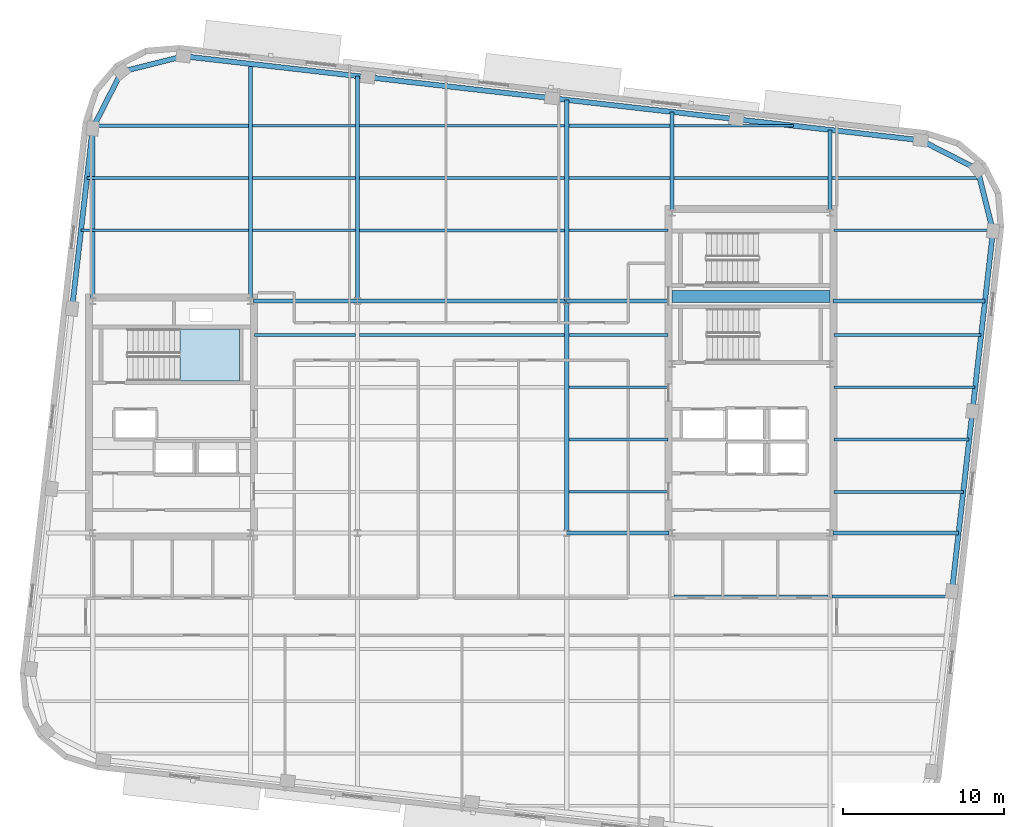
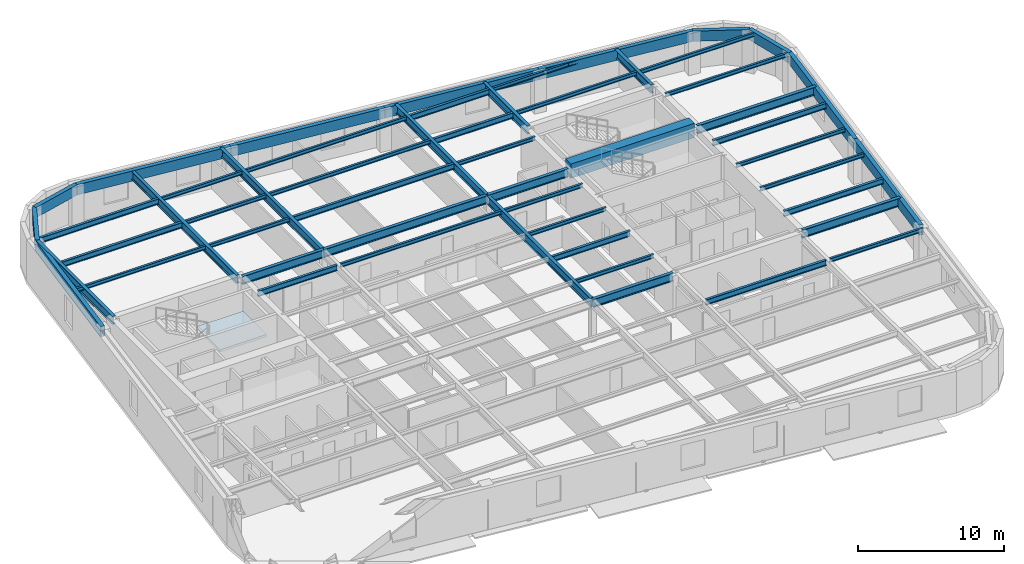
# One storey, part 4 of 13: 53 beams, 1 slab, 1 element without a shape of its own.
"""IFC4 building model written with IfcOpenShell, lengths in metres."""

import ifcopenshell
import ifcopenshell.guid

model = None  # the IFC model being written
_history = None  # IfcOwnerHistory: only IFC2X3 demands one
_inside = {}  # id of a spatial element -> (the spatial element, [elements in it])
_under = {}  # id of a project, library or spatial element -> (it, [spatial elements below it])
_declared = {}  # id of a project -> (the project, [libraries it declares])
_typed = {}  # id of a type object -> (the type object, [elements of that type])
_made_of = {}  # id of a material, layer set ... -> (it, [elements and type objects made of it])


def new_model(schema):
    """Start an empty IFC model of exactly this schema.

    Asked for "IFC4X3", IfcOpenShell would pick the latest addendum, in which some entities
    have other attributes; the version numbers below select the first issue.
    IFC2X3 requires an IfcOwnerHistory on every rooted entity: one is made here for all.
    """
    global model, _history
    if schema == "IFC4X3":
        model = ifcopenshell.file(schema_version=(4, 3, 0, 0))
    else:
        model = ifcopenshell.file(schema=schema)
    _inside.clear()
    _under.clear()
    _declared.clear()
    _typed.clear()
    _made_of.clear()
    _history = None
    if model.schema == "IFC2X3":
        org = make("IfcOrganization", Name="unknown")
        user = make(
            "IfcPersonAndOrganization",
            ThePerson=make("IfcPerson", FamilyName="unknown"),
            TheOrganization=org,
        )
        app = make(
            "IfcApplication",
            ApplicationDeveloper=org,
            Version="unknown",
            ApplicationFullName="unknown",
            ApplicationIdentifier="unknown",
        )
        _history = make(
            "IfcOwnerHistory",
            OwningUser=user,
            OwningApplication=app,
            ChangeAction="ADDED",
            CreationDate=0,
        )
    return model


def make(cls, **values):
    """One entity of the class cls with the attributes given. An attribute that is None is left unset."""
    return model.create_entity(
        cls, **{name: value for name, value in values.items() if value is not None}
    )


def rooted(cls, **values):
    """An entity with a GlobalId (a new one), such as an element, a storey or a relation."""
    return make(cls, GlobalId=ifcopenshell.guid.new(), OwnerHistory=_history, **values)


def si_unit(unit_type, name, prefix=None):
    """IfcSIUnit, for example si_unit("LENGTHUNIT", "METRE", prefix="MILLI")."""
    return make("IfcSIUnit", UnitType=unit_type, Prefix=prefix, Name=name)


def assignment(units):
    """IfcUnitAssignment: the units of a project."""
    return None if units is None else make("IfcUnitAssignment", Units=units)


def point(xyz):
    """IfcCartesianPoint."""
    return None if xyz is None else make("IfcCartesianPoint", Coordinates=xyz)


def direction(xyz):
    """IfcDirection."""
    return None if xyz is None else make("IfcDirection", DirectionRatios=xyz)


def frame(location, z_axis=None, x_axis=None):
    """IfcAxis2Placement3D, a coordinate frame: its origin and axes. An axis left out is left unset."""
    return make(
        "IfcAxis2Placement3D",
        Location=point(location),
        Axis=direction(z_axis),
        RefDirection=direction(x_axis),
    )


def frame_2d(location, x_axis=None):
    """IfcAxis2Placement2D, a coordinate frame in the plane: its origin and x axis."""
    return make(
        "IfcAxis2Placement2D", Location=point(location), RefDirection=direction(x_axis)
    )


def origin():
    """The frame at (0, 0, 0) with its axes left unset."""
    return frame((0.0, 0.0, 0.0))


def origin_2d():
    """The frame at (0, 0) in the plane with its x axis left unset."""
    return frame_2d((0.0, 0.0))


def place(relative_to, where):
    """IfcLocalPlacement: puts the frame where relative to a parent placement (None: the world)."""
    return make(
        "IfcLocalPlacement", PlacementRelTo=relative_to, RelativePlacement=where
    )


def context(
    kind, dimensions, precision=None, world=None, true_north=None, identifier=None
):
    """IfcGeometricRepresentationContext, for example the 3D "Model" context."""
    return make(
        "IfcGeometricRepresentationContext",
        ContextIdentifier=identifier,
        ContextType=kind,
        CoordinateSpaceDimension=dimensions,
        Precision=precision,
        WorldCoordinateSystem=world,
        TrueNorth=true_north,
    )


def subcontext(parent, identifier, kind, view, scale=None):
    """IfcGeometricRepresentationSubContext, for example "Body" below "Model"."""
    return make(
        "IfcGeometricRepresentationSubContext",
        ContextIdentifier=identifier,
        ContextType=kind,
        ParentContext=parent,
        TargetScale=scale,
        TargetView=view,
    )


def project(units=None, contexts=None):
    """IfcProject with its units and contexts."""
    return rooted(
        "IfcProject",
        Name="project",
        RepresentationContexts=contexts,
        UnitsInContext=assignment(units),
    )


def spatial(cls, under=None, at=None, **own):
    """A site, building, storey or space (cls), placed at a placement, below another one or the project."""
    s = rooted(cls, ObjectPlacement=at, **own)
    if under is not None:
        _under.setdefault(under.id(), (under, []))[1].append(s)
    return s


def polyline(points):
    """IfcPolyline through the points."""
    return make("IfcPolyline", Points=[point(p) for p in points])


def profile(cls, at=None, kind="AREA", **sizes):
    """A parametric profile (cls). Its sizes go by their IFC names, for example OverallWidth=200.0."""
    return make(cls, ProfileType=kind, Position=at, **sizes)


def rectangle(**sizes):
    """IfcRectangleProfileDef."""
    return profile("IfcRectangleProfileDef", **sizes)


def hollow_rectangle(**sizes):
    """IfcRectangleHollowProfileDef."""
    return profile("IfcRectangleHollowProfileDef", **sizes)


def i_section(**sizes):
    """IfcIShapeProfileDef."""
    return profile("IfcIShapeProfileDef", **sizes)


def outline(outer, holes=None, kind="AREA"):
    """IfcArbitraryClosedProfileDef: a profile drawn as a closed curve; with holes, ...WithVoids."""
    if holes is None:
        return make("IfcArbitraryClosedProfileDef", ProfileType=kind, OuterCurve=outer)
    return make(
        "IfcArbitraryProfileDefWithVoids",
        ProfileType=kind,
        OuterCurve=outer,
        InnerCurves=holes,
    )


def extrude(swept, where, along, depth):
    """IfcExtrudedAreaSolid: the profile swept, set in the frame where, extruded along a direction by depth."""
    return make(
        "IfcExtrudedAreaSolid",
        SweptArea=swept,
        Position=where,
        ExtrudedDirection=direction(along),
        Depth=depth,
    )


def shape(context_of_items, identifier, shape_type, items):
    """IfcShapeRepresentation: the items that make up one representation, for example the "Body"."""
    return make(
        "IfcShapeRepresentation",
        ContextOfItems=context_of_items,
        RepresentationIdentifier=identifier,
        RepresentationType=shape_type,
        Items=items,
    )


def material(Name=None, Category=None):
    """IfcMaterial."""
    return make("IfcMaterial", Name=Name, Category=Category)


def layer(
    of_material, thickness, ventilated=None, Name=None, Category=None, Priority=None
):
    """IfcMaterialLayer: one layer of a wall or slab, of a material (None: an air gap)."""
    return make(
        "IfcMaterialLayer",
        Material=of_material,
        LayerThickness=thickness,
        IsVentilated=ventilated,
        Name=Name,
        Category=Category,
        Priority=Priority,
    )


def layer_set(layers, Name=None):
    """IfcMaterialLayerSet."""
    return make("IfcMaterialLayerSet", MaterialLayers=layers, LayerSetName=Name)


def material_profile(
    of_material, cross_section, Name=None, Category=None, Priority=None
):
    """IfcMaterialProfile: a cross section and its material."""
    return make(
        "IfcMaterialProfile",
        Name=Name,
        Material=of_material,
        Profile=cross_section,
        Priority=Priority,
        Category=Category,
    )


def profile_set(profiles, Name=None, composite=None):
    """IfcMaterialProfileSet."""
    return make(
        "IfcMaterialProfileSet",
        Name=Name,
        MaterialProfiles=profiles,
        CompositeProfile=composite,
    )


def made_of(thing, what):
    """Note that an element or type object is made of a material, layer set ...; save() writes the relation."""
    if what is not None:
        _made_of.setdefault(what.id(), (what, []))[1].append(thing)
    return thing


def type_object(cls, material=None, **own):
    """A type object (cls), such as IfcWallType, which elements share."""
    return made_of(rooted(cls, **own), material)


def element(
    cls,
    number,
    at=None,
    inside=None,
    cuts=None,
    type_object=None,
    material=None,
    context=None,
    identifier="Body",
    shape_type=None,
    held_by="IfcProductDefinitionShape",
    body=None,
    shapes=None,
    **own,
):
    """One element of the class cls, such as IfcWall. Its Tag is "e" and its number.

    at: its placement. inside: the storey or other place that contains it. cuts: it is an
    opening in that element (IfcRelVoidsElement). A single representation is given by context,
    identifier, shape_type and body (its items); several are given by shapes. held_by: the class
    of the entity that holds the representations. save() writes the other relations.
    """
    e = rooted(cls, Tag="e%d" % number, ObjectPlacement=at, **own)
    if body is not None:
        shapes = [shape(context, identifier, shape_type, body)]
    if shapes is not None:
        e.Representation = make(held_by, Representations=shapes)
    if inside is not None:
        _inside.setdefault(inside.id(), (inside, []))[1].append(e)
    if cuts is not None:
        rooted(
            "IfcRelVoidsElement", RelatingBuildingElement=cuts, RelatedOpeningElement=e
        )
    if type_object is not None:
        _typed.setdefault(type_object.id(), (type_object, []))[1].append(e)
    return made_of(e, material)


def aggregate(whole, parts):
    """IfcRelAggregates: a whole, such as a stair, and the parts it consists of."""
    return rooted("IfcRelAggregates", RelatingObject=whole, RelatedObjects=parts)


def save(model, path):
    """Write the relations noted so far, then the file.

    IfcRelAggregates (storeys below a building ...), IfcRelContainedInSpatialStructure (elements
    in a storey), IfcRelDefinesByType, IfcRelAssociatesMaterial and IfcRelDeclares: one each for
    every whole, place, type object, material and project.
    """
    for whole, parts in _under.values():
        aggregate(whole, parts)
    for where, things in _inside.values():
        rooted(
            "IfcRelContainedInSpatialStructure",
            RelatedElements=things,
            RelatingStructure=where,
        )
    for kind, things in _typed.values():
        rooted("IfcRelDefinesByType", RelatedObjects=things, RelatingType=kind)
    for what, things in _made_of.values():
        rooted("IfcRelAssociatesMaterial", RelatedObjects=things, RelatingMaterial=what)
    for by, libraries in _declared.values():
        rooted("IfcRelDeclares", RelatingContext=by, RelatedDefinitions=libraries)
    model.write(path)


model = new_model("IFC4")

# Units and contexts
model_context = context("Model", 3, precision=1e-05, world=origin(), true_north=direction((0.0, 1.0)))
body_context = subcontext(model_context, "Body", "Model", "MODEL_VIEW")
ifc_project = project(units=[si_unit("LENGTHUNIT", "METRE"), si_unit("AREAUNIT", "SQUARE_METRE"), si_unit("VOLUMEUNIT", "CUBIC_METRE"), si_unit("PLANEANGLEUNIT", "RADIAN"), si_unit("MASSUNIT", "GRAM", prefix="KILO")], contexts=[model_context])

# Site, building, storey
site_placement = place(None, origin())
site = spatial("IfcSite", under=ifc_project, at=site_placement, CompositionType="ELEMENT")
building_placement = place(site_placement, origin())
building = spatial("IfcBuilding", under=site, at=building_placement, Name="Kolvaren Arena Tower", CompositionType="ELEMENT")
storey_placement = place(building_placement, frame((0.0, 0.0, 228.449951171875)))
storey = spatial("IfcBuildingStorey", under=building, at=storey_placement, Name="L55", CompositionType="ELEMENT", Elevation=228.449951171875)

# Beams
ifc_material_1 = material(Name="Steel CSA G40.21 350W", Category="steel")
ifc_material_profile_1 = material_profile(ifc_material_1, i_section(OverallWidth=0.193115234375, OverallDepth=0.462890625, WebThickness=0.0107421875, FlangeThickness=0.0205078125, FilletRadius=0.012939453125, at=origin_2d()), Name="W460x113")
ifc_profile_set_1 = profile_set([ifc_material_profile_1], Name="Steel CSA G40.21 350W")
beam_type_1 = type_object("IfcBeamType", Name="BEAM-F2", PredefinedType="BEAM", material=ifc_profile_set_1)
beam_1_placement = place(storey_placement, frame((50.677490234375, 15.5, 3.24853515625), z_axis=(1.0, 0.0, 0.0), x_axis=(0.0, 1.0, 0.0)))
element("IfcBeam", 1, at=beam_1_placement, inside=storey, type_object=beam_type_1, Name="Composite Floor Beam (L55)", PredefinedType="BEAM", context=body_context, shape_type="SweptSolid", body=[
    extrude(i_section(OverallWidth=0.193115234375, OverallDepth=0.462890625, WebThickness=0.0107421875, FlangeThickness=0.0205078125, FilletRadius=0.012939453125, at=origin_2d()), origin(), (0.0, 0.0, 1.0), 9.544921875),
])
beam_2_placement = place(storey_placement, frame((60.594970703125, 22.0, 3.24853515625), z_axis=(1.0, 0.0, 0.0), x_axis=(0.0, 1.0, 0.0)))
element("IfcBeam", 2, at=beam_2_placement, inside=storey, type_object=beam_type_1, Name="Composite Floor Beam (L55)", PredefinedType="BEAM", context=body_context, shape_type="SweptSolid", body=[
    extrude(i_section(OverallWidth=0.193115234375, OverallDepth=0.462890625, WebThickness=0.0107421875, FlangeThickness=0.0205078125, FilletRadius=0.012939453125, at=origin_2d()), origin(), (0.0, 0.0, 1.0), 8.041015625),
])
beam_3_placement = place(storey_placement, frame((44.12744140625, 25.25, 3.24853515625), z_axis=(1.0, 0.0, 0.0), x_axis=(0.0, 1.0, 0.0)))
element("IfcBeam", 3, at=beam_3_placement, inside=storey, type_object=beam_type_1, Name="Composite Floor Beam (L55)", PredefinedType="BEAM", context=body_context, shape_type="SweptSolid", body=[
    extrude(i_section(OverallWidth=0.193115234375, OverallDepth=0.462890625, WebThickness=0.0107421875, FlangeThickness=0.0205078125, FilletRadius=0.012939453125, at=origin_2d()), origin(), (0.0, 0.0, 1.0), 6.177490234375),
])
beam_4_placement = place(storey_placement, frame((24.594970703125, 31.75, 3.24853515625), z_axis=(1.0, 0.0, 0.0), x_axis=(0.0, 1.0, 0.0)))
element("IfcBeam", 4, at=beam_4_placement, inside=storey, type_object=beam_type_1, Name="Composite Floor Beam (L55)", PredefinedType="BEAM", context=body_context, shape_type="SweptSolid", body=[
    extrude(i_section(OverallWidth=0.193115234375, OverallDepth=0.462890625, WebThickness=0.0107421875, FlangeThickness=0.0205078125, FilletRadius=0.012939453125, at=origin_2d()), origin(), (0.0, 0.0, 1.0), 6.277587890625),
])
beam_5_placement = place(storey_placement, frame((60.594970703125, 31.75, 3.24853515625), z_axis=(1.0, 0.0, 0.0), x_axis=(0.0, 1.0, 0.0)))
element("IfcBeam", 5, at=beam_5_placement, inside=storey, type_object=beam_type_1, Name="Composite Floor Beam (L55)", PredefinedType="BEAM", context=body_context, shape_type="SweptSolid", body=[
    extrude(i_section(OverallWidth=0.193115234375, OverallDepth=0.462890625, WebThickness=0.0107421875, FlangeThickness=0.0205078125, FilletRadius=0.012939453125, at=origin_2d()), origin(), (0.0, 0.0, 1.0), 9.15185546875),
])
beam_6_placement = place(storey_placement, frame((31.12744140625, 38.25, 3.24853515625), z_axis=(1.0, 0.0, 0.0), x_axis=(0.0, 1.0, 0.0)))
element("IfcBeam", 6, at=beam_6_placement, inside=storey, type_object=beam_type_1, Name="Composite Floor Beam (L55)", PredefinedType="BEAM", context=body_context, shape_type="SweptSolid", body=[
    extrude(i_section(OverallWidth=0.193115234375, OverallDepth=0.462890625, WebThickness=0.0107421875, FlangeThickness=0.0205078125, FilletRadius=0.012939453125, at=origin_2d()), origin(), (0.0, 0.0, 1.0), 12.7451171875),
])
beam_7_placement = place(storey_placement, frame((14.193359375, 41.5, 3.24853515625), z_axis=(1.0, 0.0, 0.0), x_axis=(0.0, 1.0, 0.0)))
element("IfcBeam", 7, at=beam_7_placement, inside=storey, type_object=beam_type_1, Name="Composite Floor Beam (L55)", PredefinedType="BEAM", context=body_context, shape_type="SweptSolid", body=[
    extrude(i_section(OverallWidth=0.193115234375, OverallDepth=0.462890625, WebThickness=0.0107421875, FlangeThickness=0.0205078125, FilletRadius=0.012939453125, at=origin_2d()), origin(), (0.0, 0.0, 1.0), 10.029052734375),
])
beam_8_placement = place(storey_placement, frame((44.12744140625, 41.5, 3.24853515625), z_axis=(1.0, 0.0, 0.0), x_axis=(0.0, 1.0, 0.0)))
element("IfcBeam", 8, at=beam_8_placement, inside=storey, type_object=beam_type_1, Name="Composite Floor Beam (L55)", PredefinedType="BEAM", context=body_context, shape_type="SweptSolid", body=[
    extrude(i_section(OverallWidth=0.193115234375, OverallDepth=0.462890625, WebThickness=0.0107421875, FlangeThickness=0.0205078125, FilletRadius=0.012939453125, at=origin_2d()), origin(), (0.0, 0.0, 1.0), 6.295166015625),
])
beam_9_placement = place(storey_placement, frame((14.632080078125, 44.75, 3.24853515625), z_axis=(1.0, 0.0, 0.0), x_axis=(0.0, 1.0, 0.0)))
element("IfcBeam", 9, at=beam_9_placement, inside=storey, type_object=beam_type_1, Name="Composite Floor Beam (L55)", PredefinedType="BEAM", context=body_context, shape_type="SweptSolid", body=[
    extrude(i_section(OverallWidth=0.193115234375, OverallDepth=0.462890625, WebThickness=0.0107421875, FlangeThickness=0.0205078125, FilletRadius=0.012939453125, at=origin_2d()), origin(), (0.0, 0.0, 1.0), 9.59033203125),
])
beam_10_placement = place(storey_placement, frame((44.12744140625, 44.75, 3.24853515625), z_axis=(1.0, 0.0, 0.0), x_axis=(0.0, 1.0, 0.0)))
element("IfcBeam", 10, at=beam_10_placement, inside=storey, type_object=beam_type_1, Name="Composite Floor Beam (L55)", PredefinedType="BEAM", context=body_context, shape_type="SweptSolid", body=[
    extrude(i_section(OverallWidth=0.193115234375, OverallDepth=0.462890625, WebThickness=0.0107421875, FlangeThickness=0.0205078125, FilletRadius=0.012939453125, at=origin_2d()), origin(), (0.0, 0.0, 1.0), 6.295166015625),
])
ifc_material_2 = material(Name="Concrete 60 MPa", Category="concrete")
ifc_material_profile_2 = material_profile(ifc_material_2, rectangle(XDim=0.75, YDim=1.199951171875, at=origin_2d()), Name="RC-750x1200")
ifc_profile_set_2 = profile_set([ifc_material_profile_2], Name="Concrete 60 MPa")
beam_type_2 = type_object("IfcBeamType", Name="CB-CORE-2", PredefinedType="BEAM", material=ifc_profile_set_2)
beam_11_placement = place(storey_placement, frame((50.550048828125, 34.14990234375, 3.150146484375), z_axis=(1.0, 0.0, 0.0), x_axis=(0.0, 1.0, 0.0)))
element("IfcBeam", 11, at=beam_11_placement, inside=storey, type_object=beam_type_2, Name="East Core Coupling Beam (L55)", PredefinedType="BEAM", context=body_context, shape_type="SweptSolid", body=[
    extrude(rectangle(XDim=0.75, YDim=1.199951171875, at=origin_2d()), origin(), (0.0, 0.0, 1.0), 9.800048828125),
])
ifc_material_profile_3 = material_profile(ifc_material_1, i_section(OverallWidth=0.2548828125, OverallDepth=0.695068359375, WebThickness=0.01708984375, FlangeThickness=0.02978515625, FilletRadius=0.01611328125, at=origin_2d()), Name="W690x217")
ifc_profile_set_3 = profile_set([ifc_material_profile_3], Name="Steel CSA G40.21 350W")
beam_type_3 = type_object("IfcBeamType", Name="GIRD-T2", PredefinedType="BEAM", material=ifc_profile_set_3)
beam_12_placement = place(storey_placement, frame((44.0, 19.449951171875, 3.132568359375), z_axis=(1.0, 0.0, 0.0), x_axis=(0.0, 1.0, 0.0)))
element("IfcBeam", 12, at=beam_12_placement, inside=storey, type_object=beam_type_3, Name="Primary Floor Girder (L55)", PredefinedType="BEAM", context=body_context, shape_type="SweptSolid", body=[
    extrude(i_section(OverallWidth=0.2548828125, OverallDepth=0.695068359375, WebThickness=0.01708984375, FlangeThickness=0.02978515625, FilletRadius=0.01611328125, at=origin_2d()), origin(), (0.0, 0.0, 1.0), 6.344970703125),
])
beam_13_placement = place(storey_placement, frame((60.554931640625, 19.449951171875, 3.132568359375), z_axis=(1.0, 0.0, 0.0), x_axis=(0.0, 1.0, 0.0)))
element("IfcBeam", 13, at=beam_13_placement, inside=storey, type_object=beam_type_3, Name="Primary Floor Girder (L55)", PredefinedType="BEAM", context=body_context, shape_type="SweptSolid", body=[
    extrude(i_section(OverallWidth=0.2548828125, OverallDepth=0.695068359375, WebThickness=0.01708984375, FlangeThickness=0.02978515625, FilletRadius=0.01611328125, at=origin_2d()), origin(), (0.0, 0.0, 1.0), 7.790283203125),
])
beam_14_placement = place(storey_placement, frame((24.554931640625, 33.85009765625, 3.132568359375), z_axis=(1.0, 0.0, 0.0), x_axis=(0.0, 1.0, 0.0)))
element("IfcBeam", 14, at=beam_14_placement, inside=storey, type_object=beam_type_3, Name="Primary Floor Girder (L55)", PredefinedType="BEAM", context=body_context, shape_type="SweptSolid", body=[
    extrude(i_section(OverallWidth=0.2548828125, OverallDepth=0.695068359375, WebThickness=0.01708984375, FlangeThickness=0.02978515625, FilletRadius=0.01611328125, at=origin_2d()), origin(), (0.0, 0.0, 1.0), 6.445068359375),
])
beam_15_placement = place(storey_placement, frame((31.0, 33.85009765625, 3.132568359375), z_axis=(1.0, 0.0, 0.0), x_axis=(0.0, 1.0, 0.0)))
element("IfcBeam", 15, at=beam_15_placement, inside=storey, type_object=beam_type_3, Name="Primary Floor Girder (L55)", PredefinedType="BEAM", context=body_context, shape_type="SweptSolid", body=[
    extrude(i_section(OverallWidth=0.2548828125, OverallDepth=0.695068359375, WebThickness=0.01708984375, FlangeThickness=0.02978515625, FilletRadius=0.01611328125, at=origin_2d()), origin(), (0.0, 0.0, 1.0), 13.0),
])
beam_16_placement = place(storey_placement, frame((44.0, 33.85009765625, 3.132568359375), z_axis=(1.0, 0.0, 0.0), x_axis=(0.0, 1.0, 0.0)))
element("IfcBeam", 16, at=beam_16_placement, inside=storey, type_object=beam_type_3, Name="Primary Floor Girder (L55)", PredefinedType="BEAM", context=body_context, shape_type="SweptSolid", body=[
    extrude(i_section(OverallWidth=0.2548828125, OverallDepth=0.695068359375, WebThickness=0.01708984375, FlangeThickness=0.02978515625, FilletRadius=0.01611328125, at=origin_2d()), origin(), (0.0, 0.0, 1.0), 6.344970703125),
])
beam_17_placement = place(storey_placement, frame((60.554931640625, 33.85009765625, 3.132568359375), z_axis=(1.0, 0.0, 0.0), x_axis=(0.0, 1.0, 0.0)))
element("IfcBeam", 17, at=beam_17_placement, inside=storey, type_object=beam_type_3, Name="Primary Floor Girder (L55)", PredefinedType="BEAM", context=body_context, shape_type="SweptSolid", body=[
    extrude(i_section(OverallWidth=0.2548828125, OverallDepth=0.695068359375, WebThickness=0.01708984375, FlangeThickness=0.02978515625, FilletRadius=0.01611328125, at=origin_2d()), origin(), (0.0, 0.0, 1.0), 9.43115234375),
])
beam_18_placement = place(storey_placement, frame((14.550048828125, 34.054931640625, 3.132568359375), z_axis=(0.0, 1.0, 0.0), x_axis=(-1.0, 0.0, 0.0)))
element("IfcBeam", 18, at=beam_18_placement, inside=storey, type_object=beam_type_3, Name="Primary Floor Girder (L55)", PredefinedType="BEAM", context=body_context, shape_type="SweptSolid", body=[
    extrude(i_section(OverallWidth=0.2548828125, OverallDepth=0.695068359375, WebThickness=0.01708984375, FlangeThickness=0.02978515625, FilletRadius=0.01611328125, at=origin_2d()), origin(), (0.0, 0.0, 1.0), 10.53466796875),
])
beam_19_placement = place(storey_placement, frame((24.35009765625, 34.054931640625, 3.132568359375), z_axis=(0.0, 1.0, 0.0), x_axis=(-1.0, 0.0, 0.0)))
element("IfcBeam", 19, at=beam_19_placement, inside=storey, type_object=beam_type_3, Name="Primary Floor Girder (L55)", PredefinedType="BEAM", context=body_context, shape_type="SweptSolid", body=[
    extrude(i_section(OverallWidth=0.2548828125, OverallDepth=0.695068359375, WebThickness=0.01708984375, FlangeThickness=0.02978515625, FilletRadius=0.01611328125, at=origin_2d()), origin(), (0.0, 0.0, 1.0), 14.538818359375),
])
beam_20_placement = place(storey_placement, frame((31.0, 33.85009765625, 3.132568359375), z_axis=(0.0, 1.0, 0.0), x_axis=(-1.0, 0.0, 0.0)))
element("IfcBeam", 20, at=beam_20_placement, inside=storey, type_object=beam_type_3, Name="Primary Floor Girder (L55)", PredefinedType="BEAM", context=body_context, shape_type="SweptSolid", body=[
    extrude(i_section(OverallWidth=0.2548828125, OverallDepth=0.695068359375, WebThickness=0.01708984375, FlangeThickness=0.02978515625, FilletRadius=0.01611328125, at=origin_2d()), origin(), (0.0, 0.0, 1.0), 13.986083984375),
])
beam_21_placement = place(storey_placement, frame((44.0, 19.449951171875, 3.132568359375), z_axis=(0.0, 1.0, 0.0), x_axis=(-1.0, 0.0, 0.0)))
element("IfcBeam", 21, at=beam_21_placement, inside=storey, type_object=beam_type_3, Name="Primary Floor Girder (L55)", PredefinedType="BEAM", context=body_context, shape_type="SweptSolid", body=[
    extrude(i_section(OverallWidth=0.2548828125, OverallDepth=0.695068359375, WebThickness=0.01708984375, FlangeThickness=0.02978515625, FilletRadius=0.01611328125, at=origin_2d()), origin(), (0.0, 0.0, 1.0), 14.400146484375),
])
beam_22_placement = place(storey_placement, frame((44.0, 33.85009765625, 3.132568359375), z_axis=(0.0, 1.0, 0.0), x_axis=(-1.0, 0.0, 0.0)))
element("IfcBeam", 22, at=beam_22_placement, inside=storey, type_object=beam_type_3, Name="Primary Floor Girder (L55)", PredefinedType="BEAM", context=body_context, shape_type="SweptSolid", body=[
    extrude(i_section(OverallWidth=0.2548828125, OverallDepth=0.695068359375, WebThickness=0.01708984375, FlangeThickness=0.02978515625, FilletRadius=0.01611328125, at=origin_2d()), origin(), (0.0, 0.0, 1.0), 12.5048828125),
])
beam_23_placement = place(storey_placement, frame((50.550048828125, 39.554931640625, 3.132568359375), z_axis=(0.0, 1.0, 0.0), x_axis=(-1.0, 0.0, 0.0)))
element("IfcBeam", 23, at=beam_23_placement, inside=storey, type_object=beam_type_3, Name="Primary Floor Girder (L55)", PredefinedType="BEAM", context=body_context, shape_type="SweptSolid", body=[
    extrude(i_section(OverallWidth=0.2548828125, OverallDepth=0.695068359375, WebThickness=0.01708984375, FlangeThickness=0.02978515625, FilletRadius=0.01611328125, at=origin_2d()), origin(), (0.0, 0.0, 1.0), 6.0537109375),
])
beam_24_placement = place(storey_placement, frame((60.35009765625, 39.554931640625, 3.132568359375), z_axis=(0.0, 1.0, 0.0), x_axis=(-1.0, 0.0, 0.0)))
element("IfcBeam", 24, at=beam_24_placement, inside=storey, type_object=beam_type_3, Name="Primary Floor Girder (L55)", PredefinedType="BEAM", context=body_context, shape_type="SweptSolid", body=[
    extrude(i_section(OverallWidth=0.2548828125, OverallDepth=0.695068359375, WebThickness=0.01708984375, FlangeThickness=0.02978515625, FilletRadius=0.01611328125, at=origin_2d()), origin(), (0.0, 0.0, 1.0), 4.937255859375),
])
ifc_material_profile_4 = material_profile(ifc_material_1, i_section(OverallWidth=0.1669921875, OverallDepth=0.31689453125, WebThickness=0.007568359375, FlangeThickness=0.01318359375, FilletRadius=0.010009765625, at=origin_2d()), Name="W310x52")
ifc_profile_set_4 = profile_set([ifc_material_profile_4], Name="Steel CSA G40.21 350W")
beam_type_4 = type_object("IfcBeamType", Name="JOIST-02", PredefinedType="JOIST", material=ifc_profile_set_4)
beam_25_placement = place(storey_placement, frame((60.4775390625, 15.5, 3.321533203125), z_axis=(1.0, 0.0, 0.0), x_axis=(0.0, 1.0, 0.0)))
element("IfcBeam", 25, at=beam_25_placement, inside=storey, type_object=beam_type_4, Name="Composite Floor Joist (L55)", PredefinedType="JOIST", context=body_context, shape_type="SweptSolid", body=[
    extrude(i_section(OverallWidth=0.1669921875, OverallDepth=0.31689453125, WebThickness=0.007568359375, FlangeThickness=0.01318359375, FilletRadius=0.010009765625, at=origin_2d()), origin(), (0.0, 0.0, 1.0), 7.417724609375),
])
beam_26_placement = place(storey_placement, frame((44.12744140625, 22.0, 3.321533203125), z_axis=(1.0, 0.0, 0.0), x_axis=(0.0, 1.0, 0.0)))
element("IfcBeam", 26, at=beam_26_placement, inside=storey, type_object=beam_type_4, Name="Composite Floor Joist (L55)", PredefinedType="JOIST", context=body_context, shape_type="SweptSolid", body=[
    extrude(i_section(OverallWidth=0.1669921875, OverallDepth=0.31689453125, WebThickness=0.007568359375, FlangeThickness=0.01318359375, FilletRadius=0.010009765625, at=origin_2d()), origin(), (0.0, 0.0, 1.0), 6.177490234375),
])
beam_27_placement = place(storey_placement, frame((60.594970703125, 25.25, 3.321533203125), z_axis=(1.0, 0.0, 0.0), x_axis=(0.0, 1.0, 0.0)))
element("IfcBeam", 27, at=beam_27_placement, inside=storey, type_object=beam_type_4, Name="Composite Floor Joist (L55)", PredefinedType="JOIST", context=body_context, shape_type="SweptSolid", body=[
    extrude(i_section(OverallWidth=0.1669921875, OverallDepth=0.31689453125, WebThickness=0.007568359375, FlangeThickness=0.01318359375, FilletRadius=0.010009765625, at=origin_2d()), origin(), (0.0, 0.0, 1.0), 8.4111328125),
])
beam_28_placement = place(storey_placement, frame((44.12744140625, 28.5, 3.321533203125), z_axis=(1.0, 0.0, 0.0), x_axis=(0.0, 1.0, 0.0)))
element("IfcBeam", 28, at=beam_28_placement, inside=storey, type_object=beam_type_4, Name="Composite Floor Joist (L55)", PredefinedType="JOIST", context=body_context, shape_type="SweptSolid", body=[
    extrude(i_section(OverallWidth=0.1669921875, OverallDepth=0.31689453125, WebThickness=0.007568359375, FlangeThickness=0.01318359375, FilletRadius=0.010009765625, at=origin_2d()), origin(), (0.0, 0.0, 1.0), 6.177490234375),
])
beam_29_placement = place(storey_placement, frame((60.594970703125, 28.5, 3.321533203125), z_axis=(1.0, 0.0, 0.0), x_axis=(0.0, 1.0, 0.0)))
element("IfcBeam", 29, at=beam_29_placement, inside=storey, type_object=beam_type_4, Name="Composite Floor Joist (L55)", PredefinedType="JOIST", context=body_context, shape_type="SweptSolid", body=[
    extrude(i_section(OverallWidth=0.1669921875, OverallDepth=0.31689453125, WebThickness=0.007568359375, FlangeThickness=0.01318359375, FilletRadius=0.010009765625, at=origin_2d()), origin(), (0.0, 0.0, 1.0), 8.781494140625),
])
beam_30_placement = place(storey_placement, frame((31.12744140625, 31.75, 3.321533203125), z_axis=(1.0, 0.0, 0.0), x_axis=(0.0, 1.0, 0.0)))
element("IfcBeam", 30, at=beam_30_placement, inside=storey, type_object=beam_type_4, Name="Composite Floor Joist (L55)", PredefinedType="JOIST", context=body_context, shape_type="SweptSolid", body=[
    extrude(i_section(OverallWidth=0.1669921875, OverallDepth=0.31689453125, WebThickness=0.007568359375, FlangeThickness=0.01318359375, FilletRadius=0.010009765625, at=origin_2d()), origin(), (0.0, 0.0, 1.0), 12.7451171875),
])
beam_31_placement = place(storey_placement, frame((44.12744140625, 31.75, 3.321533203125), z_axis=(1.0, 0.0, 0.0), x_axis=(0.0, 1.0, 0.0)))
element("IfcBeam", 31, at=beam_31_placement, inside=storey, type_object=beam_type_4, Name="Composite Floor Joist (L55)", PredefinedType="JOIST", context=body_context, shape_type="SweptSolid", body=[
    extrude(i_section(OverallWidth=0.1669921875, OverallDepth=0.31689453125, WebThickness=0.007568359375, FlangeThickness=0.01318359375, FilletRadius=0.010009765625, at=origin_2d()), origin(), (0.0, 0.0, 1.0), 6.177490234375),
])
beam_32_placement = place(storey_placement, frame((13.822998046875, 38.25, 3.321533203125), z_axis=(1.0, 0.0, 0.0), x_axis=(0.0, 1.0, 0.0)))
element("IfcBeam", 32, at=beam_32_placement, inside=storey, type_object=beam_type_4, Name="Composite Floor Joist (L55)", PredefinedType="JOIST", context=body_context, shape_type="SweptSolid", body=[
    extrude(i_section(OverallWidth=0.1669921875, OverallDepth=0.31689453125, WebThickness=0.007568359375, FlangeThickness=0.01318359375, FilletRadius=0.010009765625, at=origin_2d()), origin(), (0.0, 0.0, 1.0), 10.3994140625),
])
beam_33_placement = place(storey_placement, frame((24.4775390625, 38.25, 3.321533203125), z_axis=(1.0, 0.0, 0.0), x_axis=(0.0, 1.0, 0.0)))
element("IfcBeam", 33, at=beam_33_placement, inside=storey, type_object=beam_type_4, Name="Composite Floor Joist (L55)", PredefinedType="JOIST", context=body_context, shape_type="SweptSolid", body=[
    extrude(i_section(OverallWidth=0.1669921875, OverallDepth=0.31689453125, WebThickness=0.007568359375, FlangeThickness=0.01318359375, FilletRadius=0.010009765625, at=origin_2d()), origin(), (0.0, 0.0, 1.0), 6.39501953125),
])
beam_34_placement = place(storey_placement, frame((44.12744140625, 38.25, 3.321533203125), z_axis=(1.0, 0.0, 0.0), x_axis=(0.0, 1.0, 0.0)))
element("IfcBeam", 34, at=beam_34_placement, inside=storey, type_object=beam_type_4, Name="Composite Floor Joist (L55)", PredefinedType="JOIST", context=body_context, shape_type="SweptSolid", body=[
    extrude(i_section(OverallWidth=0.1669921875, OverallDepth=0.31689453125, WebThickness=0.007568359375, FlangeThickness=0.01318359375, FilletRadius=0.010009765625, at=origin_2d()), origin(), (0.0, 0.0, 1.0), 6.177490234375),
])
beam_35_placement = place(storey_placement, frame((60.594970703125, 38.25, 3.321533203125), z_axis=(1.0, 0.0, 0.0), x_axis=(0.0, 1.0, 0.0)))
element("IfcBeam", 35, at=beam_35_placement, inside=storey, type_object=beam_type_4, Name="Composite Floor Joist (L55)", PredefinedType="JOIST", context=body_context, shape_type="SweptSolid", body=[
    extrude(i_section(OverallWidth=0.1669921875, OverallDepth=0.31689453125, WebThickness=0.007568359375, FlangeThickness=0.01318359375, FilletRadius=0.010009765625, at=origin_2d()), origin(), (0.0, 0.0, 1.0), 9.8759765625),
])
beam_36_placement = place(storey_placement, frame((24.4775390625, 41.5, 3.321533203125), z_axis=(1.0, 0.0, 0.0), x_axis=(0.0, 1.0, 0.0)))
element("IfcBeam", 36, at=beam_36_placement, inside=storey, type_object=beam_type_4, Name="Composite Floor Joist (L55)", PredefinedType="JOIST", context=body_context, shape_type="SweptSolid", body=[
    extrude(i_section(OverallWidth=0.1669921875, OverallDepth=0.31689453125, WebThickness=0.007568359375, FlangeThickness=0.01318359375, FilletRadius=0.010009765625, at=origin_2d()), origin(), (0.0, 0.0, 1.0), 6.39501953125),
])
beam_37_placement = place(storey_placement, frame((31.12744140625, 41.5, 3.321533203125), z_axis=(1.0, 0.0, 0.0), x_axis=(0.0, 1.0, 0.0)))
element("IfcBeam", 37, at=beam_37_placement, inside=storey, type_object=beam_type_4, Name="Composite Floor Joist (L55)", PredefinedType="JOIST", context=body_context, shape_type="SweptSolid", body=[
    extrude(i_section(OverallWidth=0.1669921875, OverallDepth=0.31689453125, WebThickness=0.007568359375, FlangeThickness=0.01318359375, FilletRadius=0.010009765625, at=origin_2d()), origin(), (0.0, 0.0, 1.0), 12.7451171875),
])
beam_38_placement = place(storey_placement, frame((50.677490234375, 41.5, 3.321533203125), z_axis=(1.0, 0.0, 0.0), x_axis=(0.0, 1.0, 0.0)))
element("IfcBeam", 38, at=beam_38_placement, inside=storey, type_object=beam_type_4, Name="Composite Floor Joist (L55)", PredefinedType="JOIST", context=body_context, shape_type="SweptSolid", body=[
    extrude(i_section(OverallWidth=0.1669921875, OverallDepth=0.31689453125, WebThickness=0.007568359375, FlangeThickness=0.01318359375, FilletRadius=0.010009765625, at=origin_2d()), origin(), (0.0, 0.0, 1.0), 9.544921875),
])
beam_39_placement = place(storey_placement, frame((60.4775390625, 41.5, 3.321533203125), z_axis=(1.0, 0.0, 0.0), x_axis=(0.0, 1.0, 0.0)))
element("IfcBeam", 39, at=beam_39_placement, inside=storey, type_object=beam_type_4, Name="Composite Floor Joist (L55)", PredefinedType="JOIST", context=body_context, shape_type="SweptSolid", body=[
    extrude(i_section(OverallWidth=0.1669921875, OverallDepth=0.31689453125, WebThickness=0.007568359375, FlangeThickness=0.01318359375, FilletRadius=0.010009765625, at=origin_2d()), origin(), (0.0, 0.0, 1.0), 9.17919921875),
])
beam_40_placement = place(storey_placement, frame((24.4775390625, 44.75, 3.321533203125), z_axis=(1.0, 0.0, 0.0), x_axis=(0.0, 1.0, 0.0)))
element("IfcBeam", 40, at=beam_40_placement, inside=storey, type_object=beam_type_4, Name="Composite Floor Joist (L55)", PredefinedType="JOIST", context=body_context, shape_type="SweptSolid", body=[
    extrude(i_section(OverallWidth=0.1669921875, OverallDepth=0.31689453125, WebThickness=0.007568359375, FlangeThickness=0.01318359375, FilletRadius=0.010009765625, at=origin_2d()), origin(), (0.0, 0.0, 1.0), 6.39501953125),
])
beam_41_placement = place(storey_placement, frame((31.12744140625, 44.75, 3.321533203125), z_axis=(1.0, 0.0, 0.0), x_axis=(0.0, 1.0, 0.0)))
element("IfcBeam", 41, at=beam_41_placement, inside=storey, type_object=beam_type_4, Name="Composite Floor Joist (L55)", PredefinedType="JOIST", context=body_context, shape_type="SweptSolid", body=[
    extrude(i_section(OverallWidth=0.1669921875, OverallDepth=0.31689453125, WebThickness=0.007568359375, FlangeThickness=0.01318359375, FilletRadius=0.010009765625, at=origin_2d()), origin(), (0.0, 0.0, 1.0), 12.7451171875),
])
beam_42_placement = place(storey_placement, frame((50.677490234375, 44.75, 3.321533203125), z_axis=(1.0, 0.0, 0.0), x_axis=(0.0, 1.0, 0.0)))
element("IfcBeam", 42, at=beam_42_placement, inside=storey, type_object=beam_type_4, Name="Composite Floor Joist (L55)", PredefinedType="JOIST", context=body_context, shape_type="SweptSolid", body=[
    extrude(i_section(OverallWidth=0.1669921875, OverallDepth=0.31689453125, WebThickness=0.007568359375, FlangeThickness=0.01318359375, FilletRadius=0.010009765625, at=origin_2d()), origin(), (0.0, 0.0, 1.0), 7.40869140625),
])
ifc_material_3 = material(Name="Steel CSA G40.21 350WT", Category="steel")
ifc_material_profile_5 = material_profile(ifc_material_3, hollow_rectangle(XDim=0.320068359375, YDim=0.860107421875, WallThickness=0.01806640625, at=origin_2d()), Name="HSS 860x320x18")
ifc_profile_set_5 = profile_set([ifc_material_profile_5], Name="Steel CSA G40.21 350WT")
beam_type_5 = type_object("IfcBeamType", Name="SPAND-02", PredefinedType="SPANDREL", material=ifc_profile_set_5)
beam_43_placement = place(storey_placement, frame((67.931396484375, 15.816162109375, 3.050048828125), z_axis=(0.113199459318, 0.993572283435, 0.0), x_axis=(-0.993572283435, 0.113199459318, 0.0)))
element("IfcBeam", 43, at=beam_43_placement, inside=storey, type_object=beam_type_5, Name="Perimeter Spandrel Beam (L55)", PredefinedType="SPANDREL", context=body_context, shape_type="SweptSolid", body=[
    extrude(hollow_rectangle(XDim=0.320068359375, YDim=0.860107421875, WallThickness=0.01806640625, at=origin_2d()), origin(), (0.0, 0.0, 1.0), 11.266845703125),
])
beam_44_placement = place(storey_placement, frame((69.206787109375, 27.010498046875, 3.050048828125), z_axis=(0.113201896536, 0.993572005755, 0.0), x_axis=(-0.993572005755, 0.113201896536, 0.0)))
element("IfcBeam", 44, at=beam_44_placement, inside=storey, type_object=beam_type_5, Name="Perimeter Spandrel Beam (L55)", PredefinedType="SPANDREL", context=body_context, shape_type="SweptSolid", body=[
    extrude(hollow_rectangle(XDim=0.320068359375, YDim=0.860107421875, WallThickness=0.01806640625, at=origin_2d()), origin(), (0.0, 0.0, 1.0), 11.2666015625),
])
for number, where, z_axis, x_axis, name in (
    (45, (70.482177734375, 38.20458984375, 3.050048828125), (-0.242956154878, 0.970037270834, 0.0), (-0.970037270834, -0.242956154878, 0.0), "Perimeter Spandrel Beam (L55)"),
    (46, (69.519775390625, 42.047119140625, 3.050048828125), (-0.890535676656, 0.454913407807, 0.0), (-0.454913407807, -0.890535676656, 0.0), "Perimeter Spandrel Beam (L55)"),
):
    element("IfcBeam", number, at=place(storey_placement, frame(where, z_axis=z_axis, x_axis=x_axis)), inside=storey, type_object=beam_type_5, Name=name, PredefinedType="SPANDREL", context=body_context, shape_type="SweptSolid", body=[
        extrude(hollow_rectangle(XDim=0.320068359375, YDim=0.860107421875, WallThickness=0.01806640625, at=origin_2d()), origin(), (0.0, 0.0, 1.0), 3.961181640625),
    ])
beam_45_placement = place(storey_placement, frame((65.9921875, 43.84912109375, 3.050048828125), z_axis=(-0.993571397957, 0.113207231049, 0.0), x_axis=(-0.113207231049, -0.993571397957, 0.0)))
element("IfcBeam", 47, at=beam_45_placement, inside=storey, type_object=beam_type_5, Name="Perimeter Spandrel Beam (L55)", PredefinedType="SPANDREL", context=body_context, shape_type="SweptSolid", body=[
    extrude(hollow_rectangle(XDim=0.320068359375, YDim=0.860107421875, WallThickness=0.01806640625, at=origin_2d()), origin(), (0.0, 0.0, 1.0), 11.524658203125),
])
for number, where, z_axis, x_axis, name in (
    (48, (54.54150390625, 45.15380859375, 3.050048828125), (-0.99357166944, 0.113204848336, 0.0), (-0.113204848336, -0.99357166944, 0.0), "Perimeter Spandrel Beam (L55)"),
    (49, (43.090576171875, 46.45849609375, 3.050048828125), (-0.99357166944, 0.113204848336, 0.0), (-0.113204848336, -0.99357166944, 0.0), "Perimeter Spandrel Beam (L55)"),
    (50, (31.6396484375, 47.76318359375, 3.050048828125), (-0.99357166944, 0.113204848336, 0.0), (-0.113204848336, -0.99357166944, 0.0), "Perimeter Spandrel Beam (L55)"),
):
    element("IfcBeam", number, at=place(storey_placement, frame(where, z_axis=z_axis, x_axis=x_axis)), inside=storey, type_object=beam_type_5, Name=name, PredefinedType="SPANDREL", context=body_context, shape_type="SweptSolid", body=[
        extrude(hollow_rectangle(XDim=0.320068359375, YDim=0.860107421875, WallThickness=0.01806640625, at=origin_2d()), origin(), (0.0, 0.0, 1.0), 11.52490234375),
    ])
for number, where, z_axis, x_axis, name in (
    (51, (20.188720703125, 49.06787109375, 3.050048828125), (-0.970037270834, -0.242956154878, 0.0), (0.242956154878, -0.970037270834, 0.0), "Perimeter Spandrel Beam (L55)"),
    (52, (16.34619140625, 48.10546875, 3.050048828125), (-0.454913407807, -0.890535676656, 0.0), (0.890535676656, -0.454913407807, 0.0), "Perimeter Spandrel Beam (L55)"),
):
    element("IfcBeam", number, at=place(storey_placement, frame(where, z_axis=z_axis, x_axis=x_axis)), inside=storey, type_object=beam_type_5, Name=name, PredefinedType="SPANDREL", context=body_context, shape_type="SweptSolid", body=[
        extrude(hollow_rectangle(XDim=0.320068359375, YDim=0.860107421875, WallThickness=0.01806640625, at=origin_2d()), origin(), (0.0, 0.0, 1.0), 3.961181640625),
    ])
beam_46_placement = place(storey_placement, frame((14.544189453125, 44.577880859375, 3.050048828125), z_axis=(-0.113201896536, -0.993572005755, 0.0), x_axis=(0.993572005755, -0.113201896536, 0.0)))
element("IfcBeam", 53, at=beam_46_placement, inside=storey, type_object=beam_type_5, Name="Perimeter Spandrel Beam (L55)", PredefinedType="SPANDREL", context=body_context, shape_type="SweptSolid", body=[
    extrude(hollow_rectangle(XDim=0.320068359375, YDim=0.860107421875, WallThickness=0.01806640625, at=origin_2d()), origin(), (0.0, 0.0, 1.0), 11.2666015625),
])

# Stair, slab
ifc_material_4 = material(Name="Concrete 45 MPa", Category="concrete")
stair_type = type_object("IfcStairType", Name="STAIR-CORE-165", PredefinedType="HALF_TURN_STAIR", material=ifc_material_4)
stair_placement = place(storey_placement, origin())
stair = element("IfcStair", 54, at=stair_placement, inside=storey, type_object=stair_type, Name="L55 ST-W1", PredefinedType="HALF_TURN_STAIR")
ifc_layer = layer(ifc_material_4, 0.199951171875)
ifc_layer_set = layer_set([ifc_layer], Name="Concrete 45 MPa")
slab_type = type_object("IfcSlabType", Name="SLAB-LAND", PredefinedType="LANDING", material=ifc_layer_set)
slab_placement = place(storey_placement, frame((0.0, 0.0, 1.675048828125)))
slab = element("IfcSlab", 55, at=slab_placement, type_object=slab_type, Name="ST-W1 landing 1", PredefinedType="LANDING", context=body_context, shape_type="SweptSolid", body=[
    extrude(outline(polyline([(19.9599609375, 28.89990234375), (23.659912109375, 28.89990234375), (23.659912109375, 32.1298828125), (19.9599609375, 32.1298828125), (19.9599609375, 28.89990234375)])), origin(), (0.0, 0.0, 1.0), 0.199951171875),
])
aggregate(stair, [slab])

save(model, "model.ifc")
